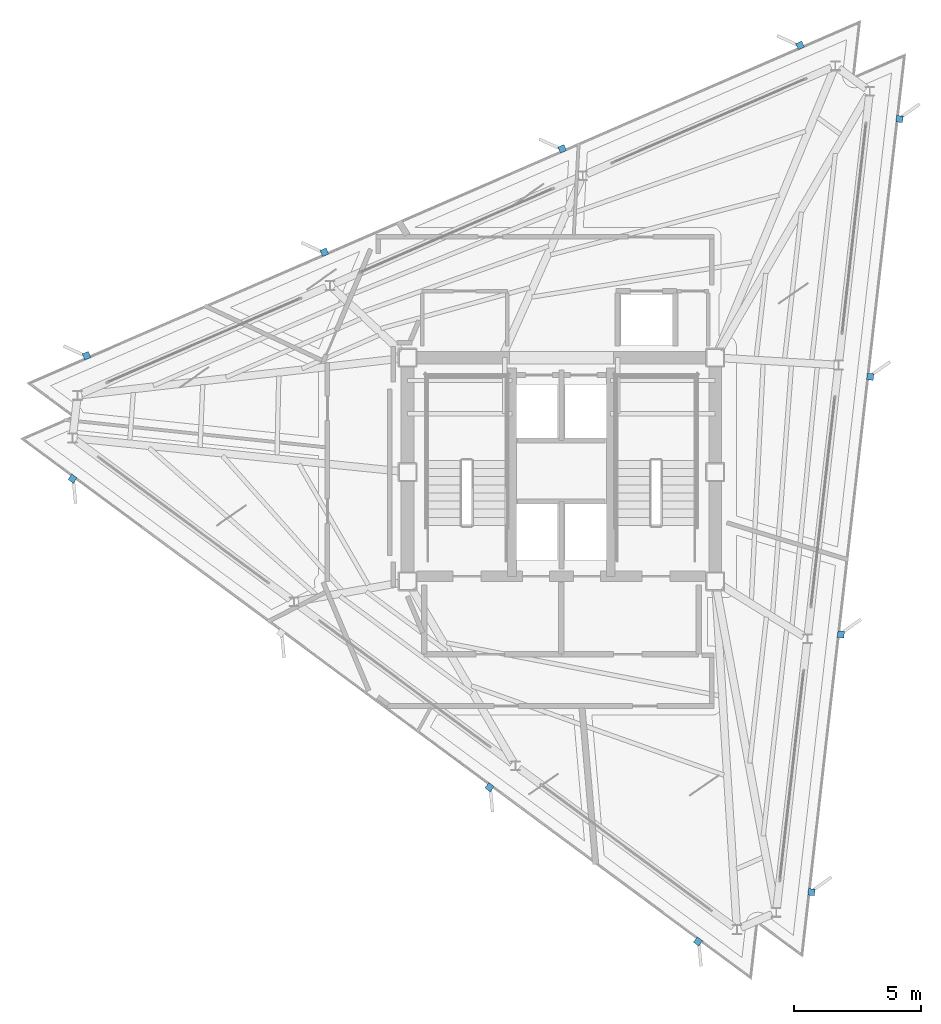
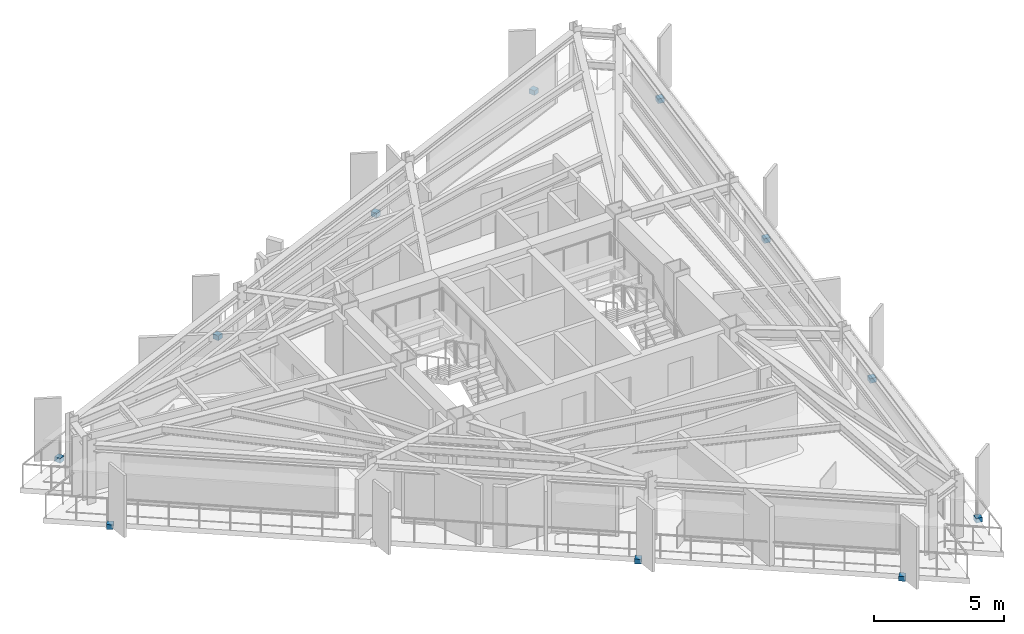
# One storey, part 7 of 10: 11 discrete accessories.
"""IFC4 building model written with IfcOpenShell, lengths in metres."""

from ifc_helpers import new_model, si_unit, direction, frame, origin, origin_2d, place, context, subcontext, project, spatial, rectangle, extrude, material, layer, layer_set, type_object, element, save


model = new_model("IFC4")

# Units and contexts
model_context = context("Model", 3, precision=1e-05, world=origin(), true_north=direction((0.0, 1.0)))
body_context = subcontext(model_context, "Body", "Model", "MODEL_VIEW")
ifc_project = project(units=[si_unit("LENGTHUNIT", "METRE"), si_unit("AREAUNIT", "SQUARE_METRE"), si_unit("VOLUMEUNIT", "CUBIC_METRE"), si_unit("PLANEANGLEUNIT", "RADIAN"), si_unit("MASSUNIT", "GRAM", prefix="KILO")], contexts=[model_context])

# Site, building, storey
site_placement = place(None, origin())
site = spatial("IfcSite", under=ifc_project, at=site_placement, CompositionType="ELEMENT")
building_placement = place(site_placement, origin())
building = spatial("IfcBuilding", under=site, at=building_placement, Name="Rocaltana Carrier Exchange", CompositionType="ELEMENT")
storey_placement = place(building_placement, frame((0.0, 0.0, 230.080078125)))
storey = spatial("IfcBuildingStorey", under=building, at=storey_placement, Name="L73", CompositionType="ELEMENT", Elevation=230.080078125)

# Discrete accessories
ifc_material = material(Name="Brushed Architectural Stainless Metal", Category="steel")
ifc_layer = layer(ifc_material, 0.219970703125)
ifc_layer_set = layer_set([ifc_layer], Name="Brushed Architectural Stainless Metal")
discrete_accessory_type = type_object("IfcDiscreteAccessoryType", Name="Stainless Fin Slab-Edge Bracket 260x260x220", PredefinedType="BRACKET", material=ifc_layer_set)
for number, where, z_axis, x_axis, name in (
    (1, (9.837890625, -16.52001953125, -0.2099609375), (0.0, 0.0, 1.0), (0.113203213768, 0.993571855677, 0.0), "L73 Sandstone Fin Edge Bracket F1-01"),
    (2, (10.992431640625, -6.385498046875, -0.2099609375), (0.0, 0.0, 1.0), (0.113203213768, 0.993571855677, 0.0), "L73 Sandstone Fin Edge Bracket F1-02"),
    (3, (12.147216796875, 3.7490234375, -0.2099609375), (0.0, 0.0, 1.0), (0.113203213768, 0.993571855677, 0.0), "L73 Sandstone Fin Edge Bracket F1-03"),
    (4, (13.302001953125, 13.88330078125, -0.2099609375), (0.0, 0.0, 1.0), (0.113203213768, 0.993571855677, 0.0), "L73 Sandstone Fin Edge Bracket F1-04"),
    (5, (9.3876953125, 16.77978515625, -0.2099609375), (0.0, 0.0, 1.0), (-0.917060074385, -0.398749068925, 0.0), "L73 Sandstone Fin Edge Bracket F2-01"),
    (6, (0.03369140625, 12.71240234375, -0.2099609375), (0.0, 0.0, 1.0), (-0.917060074385, -0.398749068925, 0.0), "L73 Sandstone Fin Edge Bracket F2-02"),
    (7, (-9.3203125, 8.645263671875, -0.2099609375), (0.0, 0.0, 1.0), (-0.917060074385, -0.398749068925, 0.0), "L73 Sandstone Fin Edge Bracket F2-03"),
    (8, (-18.67431640625, 4.578125, -0.2099609375), (0.0, 0.0, 1.0), (-0.917060074385, -0.398749068925, 0.0), "L73 Sandstone Fin Edge Bracket F2-04"),
    (9, (-19.2255859375, -0.260009765625, -0.2099609375), (0.0, 0.0, 1.0), (0.803856860617, -0.594822786751, 0.0), "L73 Sandstone Fin Edge Bracket F3-01"),
    (10, (-2.826904296875, -12.394287109375, -0.2099609375), (0.0, 0.0, 1.0), (0.803856860617, -0.594822786751, 0.0), "L73 Sandstone Fin Edge Bracket F3-03"),
    (11, (5.37255859375, -18.46142578125, -0.2099609375), (0.0, 0.0, 1.0), (0.803856860617, -0.594822786751, 0.0), "L73 Sandstone Fin Edge Bracket F3-04"),
):
    element("IfcDiscreteAccessory", number, at=place(storey_placement, frame(where, z_axis=z_axis, x_axis=x_axis)), inside=storey, type_object=discrete_accessory_type, Name=name, PredefinedType="BRACKET", context=body_context, shape_type="SweptSolid", body=[
        extrude(rectangle(XDim=0.260009765625, YDim=0.260009765625, at=origin_2d()), origin(), (0.0, 0.0, 1.0), 0.219970703125),
    ])

save(model, "model.ifc")
